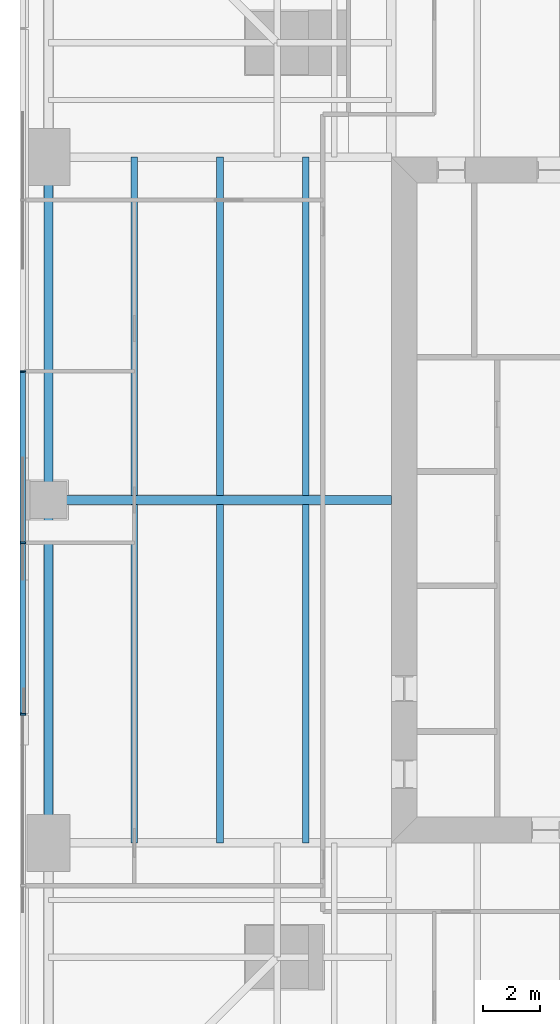
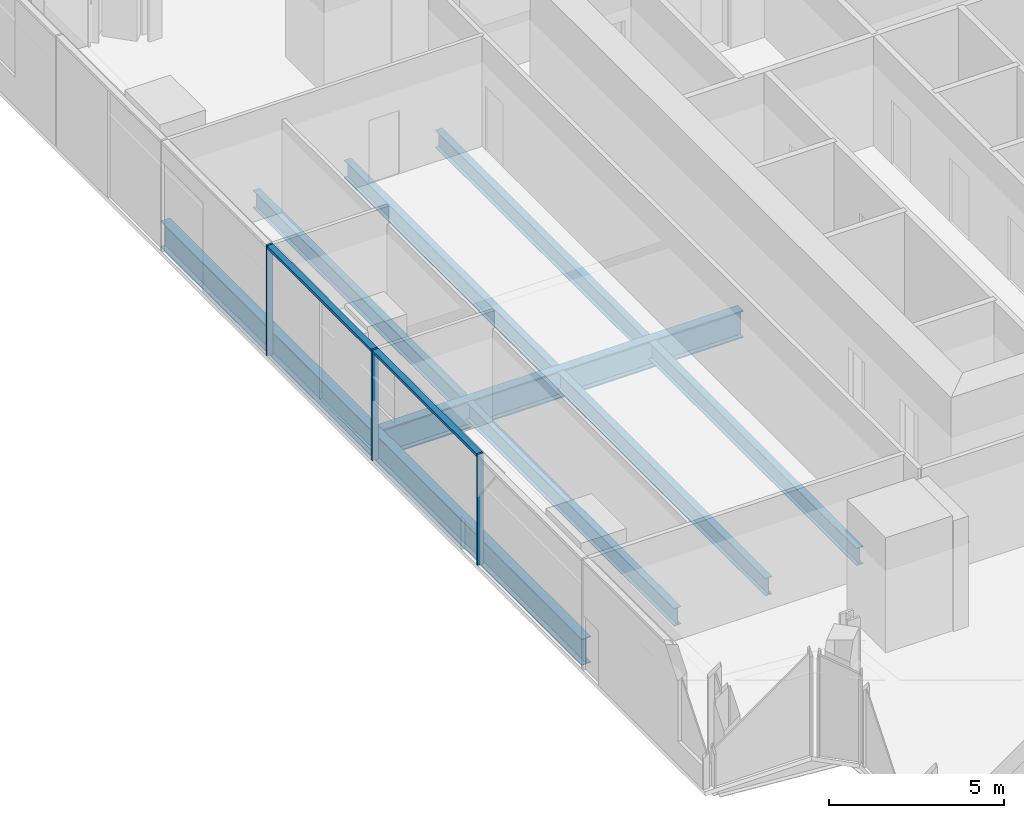
# One storey, part 4 of 14: 9 beams, 5 members, 1 element without a shape of its own.
"""IFC4 building model written with IfcOpenShell, lengths in metres."""

from ifc_helpers import new_model, si_unit, direction, frame, origin, origin_2d, place, context, subcontext, project, spatial, rectangle, i_section, extrude, material, material_profile, profile_set, type_object, element, aggregate, save


model = new_model("IFC4")

# Units and contexts
model_context = context("Model", 3, precision=1e-05, world=origin(), true_north=direction((0.0, 1.0)))
body_context = subcontext(model_context, "Body", "Model", "MODEL_VIEW")
ifc_project = project(units=[si_unit("LENGTHUNIT", "METRE"), si_unit("AREAUNIT", "SQUARE_METRE"), si_unit("VOLUMEUNIT", "CUBIC_METRE"), si_unit("PLANEANGLEUNIT", "RADIAN"), si_unit("MASSUNIT", "GRAM", prefix="KILO")], contexts=[model_context])

# Site, building, storey
site_placement = place(None, origin())
site = spatial("IfcSite", under=ifc_project, at=site_placement, CompositionType="ELEMENT")
building_placement = place(site_placement, origin())
building = spatial("IfcBuilding", under=site, at=building_placement, Name="Fenwick Lantern Interchange", CompositionType="ELEMENT")
storey_placement = place(building_placement, frame((0.0, 0.0, 150.39990234375)))
storey = spatial("IfcBuildingStorey", under=building, at=storey_placement, Name="L35", CompositionType="ELEMENT", Elevation=150.39990234375)

# Beams
ifc_material_1 = material(Name="Steel ASTM A992 Grade 50", Category="steel")
ifc_material_profile_1 = material_profile(ifc_material_1, i_section(OverallWidth=0.3046875, OverallDepth=0.911865234375, WebThickness=0.015869140625, FlangeThickness=0.02392578125, at=origin_2d()), Name="W36X150")
ifc_profile_set_1 = profile_set([ifc_material_profile_1], Name="Steel ASTM A992 Grade 50")
beam_type_1 = type_object("IfcBeamType", Name="EDGE BEAM W36X150", PredefinedType="SPANDREL", material=ifc_profile_set_1)
for number, where, z_axis, x_axis, name in (
    (1, (1.0, 37.0, -0.605712890625), (0.0, -1.0, 0.0), (1.0, 0.0, 0.0), "L35/FR/W/EB2"),
    (2, (1.0, 25.0, -0.605712890625), (0.0, -1.0, 0.0), (1.0, 0.0, 0.0), "L35/FR/W/EB3"),
):
    element("IfcBeam", number, at=place(storey_placement, frame(where, z_axis=z_axis, x_axis=x_axis)), inside=storey, type_object=beam_type_1, Name=name, PredefinedType="SPANDREL", context=body_context, shape_type="SweptSolid", body=[
        extrude(i_section(OverallWidth=0.3046875, OverallDepth=0.911865234375, WebThickness=0.015869140625, FlangeThickness=0.02392578125, at=origin_2d()), origin(), (0.0, 0.0, 1.0), 12.0),
    ])
ifc_material_profile_2 = material_profile(ifc_material_1, i_section(OverallWidth=0.22900390625, OverallDepth=0.612060546875, WebThickness=0.011962890625, FlangeThickness=0.01953125, at=origin_2d()), Name="W24X84")
ifc_profile_set_2 = profile_set([ifc_material_profile_2], Name="Steel ASTM A992 Grade 50")
beam_type_2 = type_object("IfcBeamType", Name="FLOOR BEAM W24X84", PredefinedType="BEAM", material=ifc_profile_set_2)
for number, where, z_axis, x_axis, name in (
    (3, (4.0, 37.0, -0.4560546875), (0.0, -1.0, 0.0), (1.0, 0.0, 0.0), "L35/FR/W/B01"),
    (4, (7.0, 37.0, -0.4560546875), (0.0, -1.0, 0.0), (1.0, 0.0, 0.0), "L35/FR/W/B02"),
    (5, (10.0, 37.0, -0.4560546875), (0.0, -1.0, 0.0), (1.0, 0.0, 0.0), "L35/FR/W/B03"),
    (6, (4.0, 24.844970703125, -0.4560546875), (0.0, -1.0, 0.0), (1.0, 0.0, 0.0), "L35/FR/W/B04"),
    (7, (7.0, 24.844970703125, -0.4560546875), (0.0, -1.0, 0.0), (1.0, 0.0, 0.0), "L35/FR/W/B05"),
    (8, (10.0, 24.844970703125, -0.4560546875), (0.0, -1.0, 0.0), (1.0, 0.0, 0.0), "L35/FR/W/B06"),
):
    element("IfcBeam", number, at=place(storey_placement, frame(where, z_axis=z_axis, x_axis=x_axis)), inside=storey, type_object=beam_type_2, Name=name, PredefinedType="BEAM", context=body_context, shape_type="SweptSolid", body=[
        extrude(i_section(OverallWidth=0.22900390625, OverallDepth=0.612060546875, WebThickness=0.011962890625, FlangeThickness=0.01953125, at=origin_2d()), origin(), (0.0, 0.0, 1.0), 11.844970703125),
    ])
ifc_material_profile_3 = material_profile(ifc_material_1, i_section(OverallWidth=0.309814453125, OverallDepth=0.949951171875, WebThickness=0.0244140625, FlangeThickness=0.0439453125, at=origin_2d()), Name="W36X256")
ifc_profile_set_3 = profile_set([ifc_material_profile_3], Name="Steel ASTM A992 Grade 50")
beam_type_3 = type_object("IfcBeamType", Name="MOMENT-CONNECTED GIRDER W36X256", PredefinedType="BEAM", material=ifc_profile_set_3)
beam_placement = place(storey_placement, frame((1.0, 25.0, -0.625), z_axis=(1.0, 0.0, 0.0), x_axis=(0.0, 1.0, 0.0)))
element("IfcBeam", 9, at=beam_placement, inside=storey, type_object=beam_type_3, Name="L35/FR/W/R02", PredefinedType="BEAM", context=body_context, shape_type="SweptSolid", body=[
    extrude(i_section(OverallWidth=0.309814453125, OverallDepth=0.949951171875, WebThickness=0.0244140625, FlangeThickness=0.0439453125, at=origin_2d()), origin(), (0.0, 0.0, 1.0), 12.0),
])

# Curtain wall, members
ifc_material_2 = material(Name="Aluminium curtain wall frame", Category="aluminium")
curtain_wall_type = type_object("IfcCurtainWallType", Name="OFFICE CURTAIN WALL", PredefinedType="USERDEFINED", material=ifc_material_2)
curtain_wall_placement = place(storey_placement, origin())
curtain_wall = element("IfcCurtainWall", 10, at=curtain_wall_placement, inside=storey, type_object=curtain_wall_type, Name="Office curtain wall 13", ObjectType="OFFICE CURTAIN WALL", PredefinedType="USERDEFINED")
ifc_material_3 = material(Name="Aluminium extrusion", Category="aluminium")
ifc_material_profile_4 = material_profile(ifc_material_3, rectangle(XDim=0.199951171875, YDim=0.06494140625, at=origin_2d()), Name="OFFICE CURTAIN WALL MULLION 65 X 200")
ifc_profile_set_4 = profile_set([ifc_material_profile_4], Name="Aluminium extrusion")
member_type_1 = type_object("IfcMemberType", Name="OFFICE CURTAIN WALL MULLION 65 X 200", PredefinedType="MULLION", material=ifc_profile_set_4)
member_1_placement = place(storey_placement, frame((0.10009765625, 29.5, 0.0), z_axis=(0.0, 0.0, 1.0), x_axis=(1.0, 0.0, 0.0)))
member_1 = element("IfcMember", 11, at=member_1_placement, type_object=member_type_1, Name="L35/CW/13/M03", PredefinedType="MULLION", context=body_context, shape_type="SweptSolid", body=[
    extrude(rectangle(XDim=0.199951171875, YDim=0.06494140625, at=origin_2d()), origin(), (0.0, 0.0, 1.0), 3.85009765625),
])
member_2_placement = place(storey_placement, frame((0.10009765625, 23.5, 0.0), z_axis=(0.0, 0.0, 1.0), x_axis=(1.0, 0.0, 0.0)))
member_2 = element("IfcMember", 12, at=member_2_placement, type_object=member_type_1, Name="L35/CW/13/M04", PredefinedType="MULLION", context=body_context, shape_type="SweptSolid", body=[
    extrude(rectangle(XDim=0.199951171875, YDim=0.06494140625, at=origin_2d()), origin(), (0.0, 0.0, 1.0), 3.85009765625),
])
member_3_placement = place(storey_placement, frame((0.10009765625, 17.5, 0.0), z_axis=(0.0, 0.0, 1.0), x_axis=(1.0, 0.0, 0.0)))
member_3 = element("IfcMember", 13, at=member_3_placement, type_object=member_type_1, Name="L35/CW/13/M05", PredefinedType="MULLION", context=body_context, shape_type="SweptSolid", body=[
    extrude(rectangle(XDim=0.199951171875, YDim=0.06494140625, at=origin_2d()), origin(), (0.0, 0.0, 1.0), 3.85009765625),
])
ifc_material_profile_5 = material_profile(ifc_material_3, rectangle(XDim=0.199951171875, YDim=0.10009765625, at=origin_2d()), Name="OFFICE CURTAIN WALL TRANSOM 100 X 200")
ifc_profile_set_5 = profile_set([ifc_material_profile_5], Name="Aluminium extrusion")
member_type_2 = type_object("IfcMemberType", Name="OFFICE CURTAIN WALL TRANSOM 100 X 200", PredefinedType="MULLION", material=ifc_profile_set_5)
member_4_placement = place(storey_placement, frame((0.10009765625, 29.467529296875, 3.800048828125), z_axis=(0.0, -1.0, 0.0), x_axis=(1.0, 0.0, 0.0)))
member_4 = element("IfcMember", 14, at=member_4_placement, type_object=member_type_2, Name="L35/CW/13/T03", PredefinedType="MULLION", context=body_context, shape_type="SweptSolid", body=[
    extrude(rectangle(XDim=0.199951171875, YDim=0.10009765625, at=origin_2d()), origin(), (0.0, 0.0, 1.0), 5.93505859375),
])
member_5_placement = place(storey_placement, frame((0.10009765625, 23.467529296875, 3.800048828125), z_axis=(0.0, -1.0, 0.0), x_axis=(1.0, 0.0, 0.0)))
member_5 = element("IfcMember", 15, at=member_5_placement, type_object=member_type_2, Name="L35/CW/13/T04", PredefinedType="MULLION", context=body_context, shape_type="SweptSolid", body=[
    extrude(rectangle(XDim=0.199951171875, YDim=0.10009765625, at=origin_2d()), origin(), (0.0, 0.0, 1.0), 5.93505859375),
])
aggregate(curtain_wall, [member_1, member_2, member_3, member_4, member_5])

save(model, "model.ifc")
